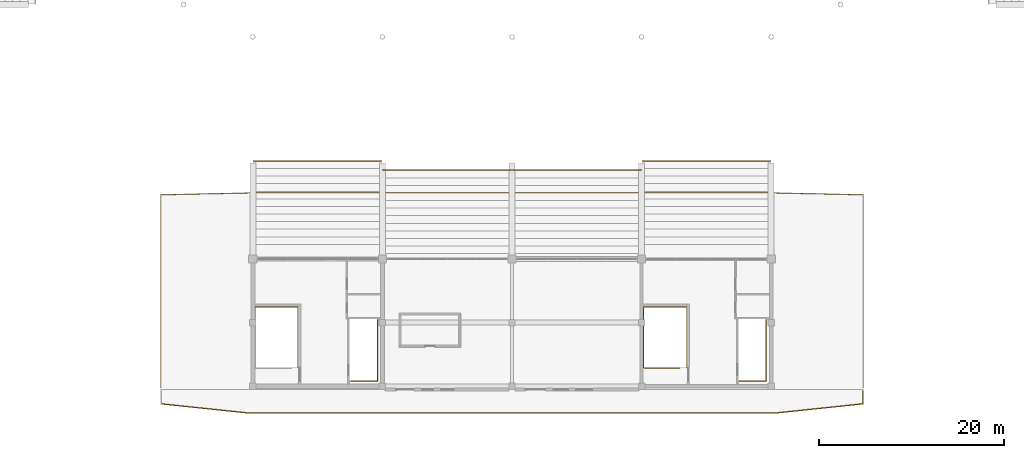
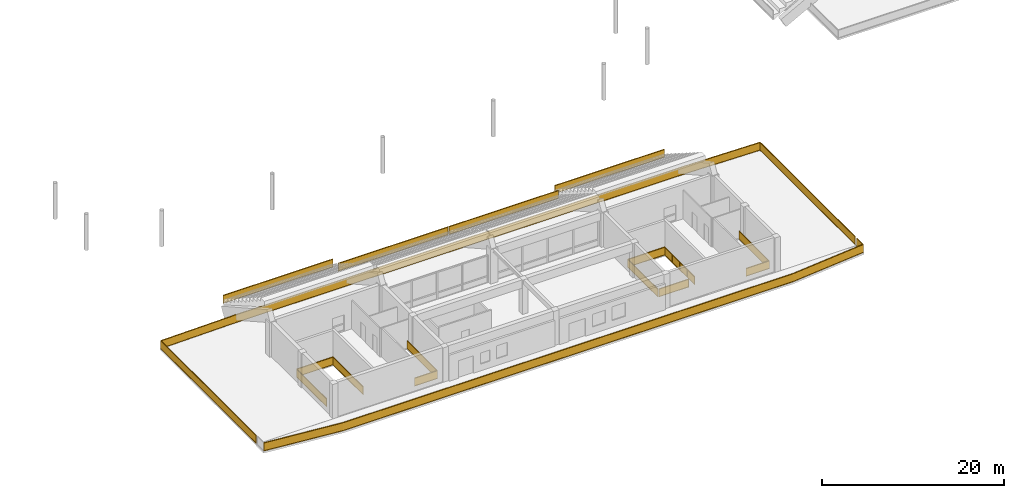
# One storey, part 82 of 94: 11 railings.
"""IFC4 building model written with IfcOpenShell, lengths in metres."""

from ifc_helpers import new_model, si_unit, direction, frame, origin, origin_2d, place, context, subcontext, project, spatial, rectangle, extrude, material, type_object, element, save


model = new_model("IFC4")

# Units and contexts
model_context = context("Model", 3, precision=1e-05, world=origin(), true_north=direction((0.0, 1.0)))
body_context = subcontext(model_context, "Body", "Model", "MODEL_VIEW")
ifc_project = project(units=[si_unit("LENGTHUNIT", "METRE"), si_unit("AREAUNIT", "SQUARE_METRE"), si_unit("VOLUMEUNIT", "CUBIC_METRE"), si_unit("PLANEANGLEUNIT", "RADIAN"), si_unit("MASSUNIT", "GRAM", prefix="KILO")], contexts=[model_context])

# Site, building, storey
site_placement = place(None, origin())
site = spatial("IfcSite", under=ifc_project, at=site_placement, CompositionType="ELEMENT")
building_placement = place(site_placement, origin())
building = spatial("IfcBuilding", under=site, at=building_placement, Name="Linyun Crest Stadium", CompositionType="ELEMENT")
storey_placement = place(building_placement, frame((0.0, 0.0, 16.199951171875)))
storey = spatial("IfcBuildingStorey", under=building, at=storey_placement, Name="L04", CompositionType="ELEMENT", Elevation=16.199951171875)

# Railings
ifc_material_1 = material(Name="Verdigris painted steel botanical balustrade", Category="steel")
railing_type_1 = type_object("IfcRailingType", Name="GR01", PredefinedType="BALUSTRADE", material=ifc_material_1)
railing_1_placement = place(storey_placement, frame((37.93994140625, -87.780029296875, 0.0)))
element("IfcRailing", 1, at=railing_1_placement, inside=storey, type_object=railing_type_1, Name="Slab edge balustrade GR01 276", PredefinedType="BALUSTRADE", context=body_context, shape_type="SweptSolid", body=[
    extrude(rectangle(XDim=0.06005859375, YDim=0.06005859375, at=origin_2d()), frame((0.0, 0.0, 1.119873046875), z_axis=(0.0, -1.0, 0.0), x_axis=(1.0, 0.0, 0.0)), (0.0, 0.0, 1.0), 1.365966796875),
    extrude(rectangle(XDim=0.030029296875, YDim=1.02978515625, at=origin_2d()), frame((0.0, 0.0, 0.574951171875), z_axis=(0.0, -1.0, 0.0), x_axis=(1.0, 0.0, 0.0)), (0.0, 0.0, 1.0), 1.365966796875),
    extrude(rectangle(XDim=0.06005859375, YDim=0.06005859375, at=origin_2d()), frame((0.0, 0.0, 0.030029296875), z_axis=(0.0, -1.0, 0.0), x_axis=(1.0, 0.0, 0.0)), (0.0, 0.0, 1.0), 1.365966796875),
    extrude(rectangle(XDim=0.06005859375, YDim=0.06005859375, at=origin_2d()), frame((0.0, -1.365966796875, 1.119873046875), z_axis=(-0.994506439109, -0.104675415316, 0.0), x_axis=(0.104675415316, -0.994506439109, 0.0)), (0.0, 0.0, 1.0), 9.4951171875),
    extrude(rectangle(XDim=0.030029296875, YDim=1.02978515625, at=origin_2d()), frame((0.0, -1.365966796875, 0.574951171875), z_axis=(-0.994506439109, -0.104675415316, 0.0), x_axis=(0.104675415316, -0.994506439109, 0.0)), (0.0, 0.0, 1.0), 9.4951171875),
    extrude(rectangle(XDim=0.06005859375, YDim=0.06005859375, at=origin_2d()), frame((0.0, -1.365966796875, 0.030029296875), z_axis=(-0.994506439109, -0.104675415316, 0.0), x_axis=(0.104675415316, -0.994506439109, 0.0)), (0.0, 0.0, 1.0), 9.4951171875),
    extrude(rectangle(XDim=0.06005859375, YDim=0.06005859375, at=origin_2d()), frame((-9.44287109375, -2.35986328125, 1.119873046875), z_axis=(-1.0, 0.0, 0.0), x_axis=(0.0, -1.0, 0.0)), (0.0, 0.0, 1.0), 56.994140625),
    extrude(rectangle(XDim=0.030029296875, YDim=1.02978515625, at=origin_2d()), frame((-9.44287109375, -2.35986328125, 0.574951171875), z_axis=(-1.0, 0.0, 0.0), x_axis=(0.0, -1.0, 0.0)), (0.0, 0.0, 1.0), 56.994140625),
    extrude(rectangle(XDim=0.06005859375, YDim=0.06005859375, at=origin_2d()), frame((-9.44287109375, -2.35986328125, 0.030029296875), z_axis=(-1.0, 0.0, 0.0), x_axis=(0.0, -1.0, 0.0)), (0.0, 0.0, 1.0), 56.994140625),
    extrude(rectangle(XDim=0.06005859375, YDim=0.06005859375, at=origin_2d()), frame((-66.43701171875, -2.35986328125, 1.119873046875), z_axis=(-0.994506439109, 0.104675415316, 0.0), x_axis=(-0.104675415316, -0.994506439109, 0.0)), (0.0, 0.0, 1.0), 9.4951171875),
    extrude(rectangle(XDim=0.030029296875, YDim=1.02978515625, at=origin_2d()), frame((-66.43701171875, -2.35986328125, 0.574951171875), z_axis=(-0.994506439109, 0.104675415316, 0.0), x_axis=(-0.104675415316, -0.994506439109, 0.0)), (0.0, 0.0, 1.0), 9.4951171875),
    extrude(rectangle(XDim=0.06005859375, YDim=0.06005859375, at=origin_2d()), frame((-66.43701171875, -2.35986328125, 0.030029296875), z_axis=(-0.994506439109, 0.104675415316, 0.0), x_axis=(-0.104675415316, -0.994506439109, 0.0)), (0.0, 0.0, 1.0), 9.4951171875),
    extrude(rectangle(XDim=0.050048828125, YDim=0.050048828125, at=origin_2d()), origin(), (0.0, 0.0, 1.0), 1.14990234375),
    extrude(rectangle(XDim=0.050048828125, YDim=0.050048828125, at=origin_2d()), frame((0.0, -1.365966796875, 0.0)), (0.0, 0.0, 1.0), 1.14990234375),
    extrude(rectangle(XDim=0.050048828125, YDim=0.050048828125, at=origin_2d()), frame((-4.721435546875, -1.86279296875, 0.0)), (0.0, 0.0, 1.0), 1.14990234375),
    extrude(rectangle(XDim=0.050048828125, YDim=0.050048828125, at=origin_2d()), frame((-9.44287109375, -2.35986328125, 0.0)), (0.0, 0.0, 1.0), 1.14990234375),
    extrude(rectangle(XDim=0.050048828125, YDim=0.050048828125, at=origin_2d()), frame((-14.1923828125, -2.35986328125, 0.0)), (0.0, 0.0, 1.0), 1.14990234375),
    extrude(rectangle(XDim=0.050048828125, YDim=0.050048828125, at=origin_2d()), frame((-18.94189453125, -2.35986328125, 0.0)), (0.0, 0.0, 1.0), 1.14990234375),
    extrude(rectangle(XDim=0.050048828125, YDim=0.050048828125, at=origin_2d()), frame((-23.69140625, -2.35986328125, 0.0)), (0.0, 0.0, 1.0), 1.14990234375),
    extrude(rectangle(XDim=0.050048828125, YDim=0.050048828125, at=origin_2d()), frame((-28.44091796875, -2.35986328125, 0.0)), (0.0, 0.0, 1.0), 1.14990234375),
    extrude(rectangle(XDim=0.050048828125, YDim=0.050048828125, at=origin_2d()), frame((-33.1904296875, -2.35986328125, 0.0)), (0.0, 0.0, 1.0), 1.14990234375),
    extrude(rectangle(XDim=0.050048828125, YDim=0.050048828125, at=origin_2d()), frame((-37.93994140625, -2.35986328125, 0.0)), (0.0, 0.0, 1.0), 1.14990234375),
    extrude(rectangle(XDim=0.050048828125, YDim=0.050048828125, at=origin_2d()), frame((-42.689453125, -2.35986328125, 0.0)), (0.0, 0.0, 1.0), 1.14990234375),
    extrude(rectangle(XDim=0.050048828125, YDim=0.050048828125, at=origin_2d()), frame((-47.43896484375, -2.35986328125, 0.0)), (0.0, 0.0, 1.0), 1.14990234375),
    extrude(rectangle(XDim=0.050048828125, YDim=0.050048828125, at=origin_2d()), frame((-52.1884765625, -2.35986328125, 0.0)), (0.0, 0.0, 1.0), 1.14990234375),
    extrude(rectangle(XDim=0.050048828125, YDim=0.050048828125, at=origin_2d()), frame((-56.93798828125, -2.35986328125, 0.0)), (0.0, 0.0, 1.0), 1.14990234375),
    extrude(rectangle(XDim=0.050048828125, YDim=0.050048828125, at=origin_2d()), frame((-61.6875, -2.35986328125, 0.0)), (0.0, 0.0, 1.0), 1.14990234375),
    extrude(rectangle(XDim=0.050048828125, YDim=0.050048828125, at=origin_2d()), frame((-66.43701171875, -2.35986328125, 0.0)), (0.0, 0.0, 1.0), 1.14990234375),
    extrude(rectangle(XDim=0.050048828125, YDim=0.050048828125, at=origin_2d()), frame((-71.158447265625, -1.86279296875, 0.0)), (0.0, 0.0, 1.0), 1.14990234375),
    extrude(rectangle(XDim=0.050048828125, YDim=0.050048828125, at=origin_2d()), frame((-75.8798828125, -1.365966796875, 0.0)), (0.0, 0.0, 1.0), 1.14990234375),
])
ifc_material_2 = material(Name="Galvanized and powder-coated steel bowl safety barrier", Category="steel")
railing_type_2 = type_object("IfcRailingType", Name="GR02", PredefinedType="GUARDRAIL", material=ifc_material_2)
for number, where, name in (
    (2, (-27.919921875, -62.89990234375, 0.35009765625), "Bowl front safety guard GR02 63"),
    (3, (-13.919921875, -63.89990234375, 0.35009765625), "Bowl front safety guard GR02 70"),
    (4, (0.080078125, -63.89990234375, 0.35009765625), "Bowl front safety guard GR02 77"),
    (5, (14.080078125, -62.89990234375, 0.35009765625), "Bowl front safety guard GR02 84"),
):
    element("IfcRailing", number, at=place(storey_placement, frame(where)), inside=storey, type_object=railing_type_2, Name=name, PredefinedType="GUARDRAIL", context=body_context, shape_type="SweptSolid", body=[
        extrude(rectangle(XDim=0.06005859375, YDim=0.06005859375, at=origin_2d()), frame((0.0, 0.0, 1.090087890625), z_axis=(1.0, 0.0, 0.0), x_axis=(0.0, 1.0, 0.0)), (0.0, 0.0, 1.0), 13.83984375),
        extrude(rectangle(XDim=0.030029296875, YDim=1.0, at=origin_2d()), frame((0.0, 0.0, 0.56005859375), z_axis=(1.0, 0.0, 0.0), x_axis=(0.0, 1.0, 0.0)), (0.0, 0.0, 1.0), 13.83984375),
        extrude(rectangle(XDim=0.06005859375, YDim=0.06005859375, at=origin_2d()), frame((0.0, 0.0, 0.030029296875), z_axis=(1.0, 0.0, 0.0), x_axis=(0.0, 1.0, 0.0)), (0.0, 0.0, 1.0), 13.83984375),
        extrude(rectangle(XDim=0.050048828125, YDim=0.050048828125, at=origin_2d()), origin(), (0.0, 0.0, 1.0), 1.1201171875),
        extrude(rectangle(XDim=0.050048828125, YDim=0.050048828125, at=origin_2d()), frame((2.306640625, 0.0, 0.0)), (0.0, 0.0, 1.0), 1.1201171875),
        extrude(rectangle(XDim=0.050048828125, YDim=0.050048828125, at=origin_2d()), frame((4.61328125, 0.0, 0.0)), (0.0, 0.0, 1.0), 1.1201171875),
        extrude(rectangle(XDim=0.050048828125, YDim=0.050048828125, at=origin_2d()), frame((6.919921875, 0.0, 0.0)), (0.0, 0.0, 1.0), 1.1201171875),
        extrude(rectangle(XDim=0.050048828125, YDim=0.050048828125, at=origin_2d()), frame((9.2265625, 0.0, 0.0)), (0.0, 0.0, 1.0), 1.1201171875),
        extrude(rectangle(XDim=0.050048828125, YDim=0.050048828125, at=origin_2d()), frame((11.533203125, 0.0, 0.0)), (0.0, 0.0, 1.0), 1.1201171875),
        extrude(rectangle(XDim=0.050048828125, YDim=0.050048828125, at=origin_2d()), frame((13.83984375, 0.0, 0.0)), (0.0, 0.0, 1.0), 1.1201171875),
    ])
railing_2_placement = place(storey_placement, frame((-37.93994140625, -87.425048828125, 0.0)))
element("IfcRailing", 6, at=railing_2_placement, inside=storey, type_object=railing_type_2, Name="Slab edge balustrade GR02 268", PredefinedType="GUARDRAIL", context=body_context, shape_type="SweptSolid", body=[
    extrude(rectangle(XDim=0.06005859375, YDim=0.06005859375, at=origin_2d()), frame((0.0, 0.0, 1.090087890625), z_axis=(0.0, 1.0, 0.0), x_axis=(-1.0, 0.0, 0.0)), (0.0, 0.0, 1.0), 20.865966796875),
    extrude(rectangle(XDim=0.030029296875, YDim=1.0, at=origin_2d()), frame((0.0, 0.0, 0.56005859375), z_axis=(0.0, 1.0, 0.0), x_axis=(-1.0, 0.0, 0.0)), (0.0, 0.0, 1.0), 20.865966796875),
    extrude(rectangle(XDim=0.06005859375, YDim=0.06005859375, at=origin_2d()), frame((0.0, 0.0, 0.030029296875), z_axis=(0.0, 1.0, 0.0), x_axis=(-1.0, 0.0, 0.0)), (0.0, 0.0, 1.0), 20.865966796875),
    extrude(rectangle(XDim=0.06005859375, YDim=0.06005859375, at=origin_2d()), frame((0.0, 20.865966796875, 1.090087890625), z_axis=(0.999777979935, 0.021071090087, 0.0), x_axis=(-0.021071090087, 0.999777979935, 0.0)), (0.0, 0.0, 1.0), 9.443115234375),
    extrude(rectangle(XDim=0.030029296875, YDim=1.0, at=origin_2d()), frame((0.0, 20.865966796875, 0.56005859375), z_axis=(0.999777979935, 0.021071090087, 0.0), x_axis=(-0.021071090087, 0.999777979935, 0.0)), (0.0, 0.0, 1.0), 9.443115234375),
    extrude(rectangle(XDim=0.06005859375, YDim=0.06005859375, at=origin_2d()), frame((0.0, 20.865966796875, 0.030029296875), z_axis=(0.999777979935, 0.021071090087, 0.0), x_axis=(-0.021071090087, 0.999777979935, 0.0)), (0.0, 0.0, 1.0), 9.443115234375),
    extrude(rectangle(XDim=0.06005859375, YDim=0.06005859375, at=origin_2d()), frame((9.44091796875, 21.06494140625, 1.090087890625), z_axis=(1.0, 0.0, 0.0), x_axis=(0.0, 1.0, 0.0)), (0.0, 0.0, 1.0), 56.998046875),
    extrude(rectangle(XDim=0.030029296875, YDim=1.0, at=origin_2d()), frame((9.44091796875, 21.06494140625, 0.56005859375), z_axis=(1.0, 0.0, 0.0), x_axis=(0.0, 1.0, 0.0)), (0.0, 0.0, 1.0), 56.998046875),
    extrude(rectangle(XDim=0.06005859375, YDim=0.06005859375, at=origin_2d()), frame((9.44091796875, 21.06494140625, 0.030029296875), z_axis=(1.0, 0.0, 0.0), x_axis=(0.0, 1.0, 0.0)), (0.0, 0.0, 1.0), 56.998046875),
    extrude(rectangle(XDim=0.06005859375, YDim=0.06005859375, at=origin_2d()), frame((66.43896484375, 21.06494140625, 1.090087890625), z_axis=(0.999777979935, -0.021071090087, 0.0), x_axis=(0.021071090087, 0.999777979935, 0.0)), (0.0, 0.0, 1.0), 9.443115234375),
    extrude(rectangle(XDim=0.030029296875, YDim=1.0, at=origin_2d()), frame((66.43896484375, 21.06494140625, 0.56005859375), z_axis=(0.999777979935, -0.021071090087, 0.0), x_axis=(0.021071090087, 0.999777979935, 0.0)), (0.0, 0.0, 1.0), 9.443115234375),
    extrude(rectangle(XDim=0.06005859375, YDim=0.06005859375, at=origin_2d()), frame((66.43896484375, 21.06494140625, 0.030029296875), z_axis=(0.999777979935, -0.021071090087, 0.0), x_axis=(0.021071090087, 0.999777979935, 0.0)), (0.0, 0.0, 1.0), 9.443115234375),
    extrude(rectangle(XDim=0.06005859375, YDim=0.06005859375, at=origin_2d()), frame((75.8798828125, 20.865966796875, 1.090087890625), z_axis=(0.0, -1.0, 0.0), x_axis=(1.0, 0.0, 0.0)), (0.0, 0.0, 1.0), 20.865966796875),
    extrude(rectangle(XDim=0.030029296875, YDim=1.0, at=origin_2d()), frame((75.8798828125, 20.865966796875, 0.56005859375), z_axis=(0.0, -1.0, 0.0), x_axis=(1.0, 0.0, 0.0)), (0.0, 0.0, 1.0), 20.865966796875),
    extrude(rectangle(XDim=0.06005859375, YDim=0.06005859375, at=origin_2d()), frame((75.8798828125, 20.865966796875, 0.030029296875), z_axis=(0.0, -1.0, 0.0), x_axis=(1.0, 0.0, 0.0)), (0.0, 0.0, 1.0), 20.865966796875),
    extrude(rectangle(XDim=0.050048828125, YDim=0.050048828125, at=origin_2d()), origin(), (0.0, 0.0, 1.0), 1.1201171875),
    extrude(rectangle(XDim=0.050048828125, YDim=0.050048828125, at=origin_2d()), frame((0.0, 4.173095703125, 0.0)), (0.0, 0.0, 1.0), 1.1201171875),
    extrude(rectangle(XDim=0.050048828125, YDim=0.050048828125, at=origin_2d()), frame((0.0, 8.346435546875, 0.0)), (0.0, 0.0, 1.0), 1.1201171875),
    extrude(rectangle(XDim=0.050048828125, YDim=0.050048828125, at=origin_2d()), frame((0.0, 12.51953125, 0.0)), (0.0, 0.0, 1.0), 1.1201171875),
    extrude(rectangle(XDim=0.050048828125, YDim=0.050048828125, at=origin_2d()), frame((0.0, 16.69287109375, 0.0)), (0.0, 0.0, 1.0), 1.1201171875),
    extrude(rectangle(XDim=0.050048828125, YDim=0.050048828125, at=origin_2d()), frame((0.0, 20.865966796875, 0.0)), (0.0, 0.0, 1.0), 1.1201171875),
    extrude(rectangle(XDim=0.050048828125, YDim=0.050048828125, at=origin_2d()), frame((4.720458984375, 20.96533203125, 0.0)), (0.0, 0.0, 1.0), 1.1201171875),
    extrude(rectangle(XDim=0.050048828125, YDim=0.050048828125, at=origin_2d()), frame((9.44091796875, 21.06494140625, 0.0)), (0.0, 0.0, 1.0), 1.1201171875),
    extrude(rectangle(XDim=0.050048828125, YDim=0.050048828125, at=origin_2d()), frame((14.190673828125, 21.06494140625, 0.0)), (0.0, 0.0, 1.0), 1.1201171875),
    extrude(rectangle(XDim=0.050048828125, YDim=0.050048828125, at=origin_2d()), frame((18.940673828125, 21.06494140625, 0.0)), (0.0, 0.0, 1.0), 1.1201171875),
    extrude(rectangle(XDim=0.050048828125, YDim=0.050048828125, at=origin_2d()), frame((23.6904296875, 21.06494140625, 0.0)), (0.0, 0.0, 1.0), 1.1201171875),
    extrude(rectangle(XDim=0.050048828125, YDim=0.050048828125, at=origin_2d()), frame((28.440185546875, 21.06494140625, 0.0)), (0.0, 0.0, 1.0), 1.1201171875),
    extrude(rectangle(XDim=0.050048828125, YDim=0.050048828125, at=origin_2d()), frame((33.190185546875, 21.06494140625, 0.0)), (0.0, 0.0, 1.0), 1.1201171875),
    extrude(rectangle(XDim=0.050048828125, YDim=0.050048828125, at=origin_2d()), frame((37.93994140625, 21.06494140625, 0.0)), (0.0, 0.0, 1.0), 1.1201171875),
    extrude(rectangle(XDim=0.050048828125, YDim=0.050048828125, at=origin_2d()), frame((42.689697265625, 21.06494140625, 0.0)), (0.0, 0.0, 1.0), 1.1201171875),
    extrude(rectangle(XDim=0.050048828125, YDim=0.050048828125, at=origin_2d()), frame((47.439697265625, 21.06494140625, 0.0)), (0.0, 0.0, 1.0), 1.1201171875),
    extrude(rectangle(XDim=0.050048828125, YDim=0.050048828125, at=origin_2d()), frame((52.189453125, 21.06494140625, 0.0)), (0.0, 0.0, 1.0), 1.1201171875),
    extrude(rectangle(XDim=0.050048828125, YDim=0.050048828125, at=origin_2d()), frame((56.939208984375, 21.06494140625, 0.0)), (0.0, 0.0, 1.0), 1.1201171875),
    extrude(rectangle(XDim=0.050048828125, YDim=0.050048828125, at=origin_2d()), frame((61.689208984375, 21.06494140625, 0.0)), (0.0, 0.0, 1.0), 1.1201171875),
    extrude(rectangle(XDim=0.050048828125, YDim=0.050048828125, at=origin_2d()), frame((66.43896484375, 21.06494140625, 0.0)), (0.0, 0.0, 1.0), 1.1201171875),
    extrude(rectangle(XDim=0.050048828125, YDim=0.050048828125, at=origin_2d()), frame((71.159423828125, 20.96533203125, 0.0)), (0.0, 0.0, 1.0), 1.1201171875),
    extrude(rectangle(XDim=0.050048828125, YDim=0.050048828125, at=origin_2d()), frame((75.8798828125, 20.865966796875, 0.0)), (0.0, 0.0, 1.0), 1.1201171875),
    extrude(rectangle(XDim=0.050048828125, YDim=0.050048828125, at=origin_2d()), frame((75.8798828125, 16.69287109375, 0.0)), (0.0, 0.0, 1.0), 1.1201171875),
    extrude(rectangle(XDim=0.050048828125, YDim=0.050048828125, at=origin_2d()), frame((75.8798828125, 12.51953125, 0.0)), (0.0, 0.0, 1.0), 1.1201171875),
    extrude(rectangle(XDim=0.050048828125, YDim=0.050048828125, at=origin_2d()), frame((75.8798828125, 8.346435546875, 0.0)), (0.0, 0.0, 1.0), 1.1201171875),
    extrude(rectangle(XDim=0.050048828125, YDim=0.050048828125, at=origin_2d()), frame((75.8798828125, 4.173095703125, 0.0)), (0.0, 0.0, 1.0), 1.1201171875),
    extrude(rectangle(XDim=0.050048828125, YDim=0.050048828125, at=origin_2d()), frame((75.8798828125, 0.0, 0.0)), (0.0, 0.0, 1.0), 1.1201171875),
])
railing_3_placement = place(storey_placement, frame((24.580078125, -86.659912109375, 0.0)))
element("IfcRailing", 7, at=railing_3_placement, inside=storey, type_object=railing_type_2, Name="Slab edge balustrade GR02 269", PredefinedType="GUARDRAIL", context=body_context, shape_type="SweptSolid", body=[
    extrude(rectangle(XDim=0.06005859375, YDim=0.06005859375, at=origin_2d()), frame((0.0, 0.0, 1.090087890625), z_axis=(1.0, 0.0, 0.0), x_axis=(0.0, 1.0, 0.0)), (0.0, 0.0, 1.0), 2.8798828125),
    extrude(rectangle(XDim=0.030029296875, YDim=1.0, at=origin_2d()), frame((0.0, 0.0, 0.56005859375), z_axis=(1.0, 0.0, 0.0), x_axis=(0.0, 1.0, 0.0)), (0.0, 0.0, 1.0), 2.8798828125),
    extrude(rectangle(XDim=0.06005859375, YDim=0.06005859375, at=origin_2d()), frame((0.0, 0.0, 0.030029296875), z_axis=(1.0, 0.0, 0.0), x_axis=(0.0, 1.0, 0.0)), (0.0, 0.0, 1.0), 2.8798828125),
    extrude(rectangle(XDim=0.06005859375, YDim=0.06005859375, at=origin_2d()), frame((2.8798828125, 0.0, 1.090087890625), z_axis=(0.0, 1.0, 0.0), x_axis=(-1.0, 0.0, 0.0)), (0.0, 0.0, 1.0), 6.5498046875),
    extrude(rectangle(XDim=0.030029296875, YDim=1.0, at=origin_2d()), frame((2.8798828125, 0.0, 0.56005859375), z_axis=(0.0, 1.0, 0.0), x_axis=(-1.0, 0.0, 0.0)), (0.0, 0.0, 1.0), 6.5498046875),
    extrude(rectangle(XDim=0.06005859375, YDim=0.06005859375, at=origin_2d()), frame((2.8798828125, 0.0, 0.030029296875), z_axis=(0.0, 1.0, 0.0), x_axis=(-1.0, 0.0, 0.0)), (0.0, 0.0, 1.0), 6.5498046875),
    extrude(rectangle(XDim=0.050048828125, YDim=0.050048828125, at=origin_2d()), origin(), (0.0, 0.0, 1.0), 1.1201171875),
    extrude(rectangle(XDim=0.050048828125, YDim=0.050048828125, at=origin_2d()), frame((2.8798828125, 0.0, 0.0)), (0.0, 0.0, 1.0), 1.1201171875),
    extrude(rectangle(XDim=0.050048828125, YDim=0.050048828125, at=origin_2d()), frame((2.8798828125, 3.27490234375, 0.0)), (0.0, 0.0, 1.0), 1.1201171875),
    extrude(rectangle(XDim=0.050048828125, YDim=0.050048828125, at=origin_2d()), frame((2.8798828125, 6.5498046875, 0.0)), (0.0, 0.0, 1.0), 1.1201171875),
])
railing_4_placement = place(storey_placement, frame((14.31494140625, -85.2900390625, 0.0)))
element("IfcRailing", 8, at=railing_4_placement, inside=storey, type_object=railing_type_2, Name="Slab edge balustrade GR02 270", PredefinedType="GUARDRAIL", context=body_context, shape_type="SweptSolid", body=[
    extrude(rectangle(XDim=0.06005859375, YDim=0.06005859375, at=origin_2d()), frame((0.0, 0.0, 1.090087890625), z_axis=(1.0, 0.0, 0.0), x_axis=(0.0, 1.0, 0.0)), (0.0, 0.0, 1.0), 3.78515625),
    extrude(rectangle(XDim=0.030029296875, YDim=1.0, at=origin_2d()), frame((0.0, 0.0, 0.56005859375), z_axis=(1.0, 0.0, 0.0), x_axis=(0.0, 1.0, 0.0)), (0.0, 0.0, 1.0), 3.78515625),
    extrude(rectangle(XDim=0.06005859375, YDim=0.06005859375, at=origin_2d()), frame((0.0, 0.0, 0.030029296875), z_axis=(1.0, 0.0, 0.0), x_axis=(0.0, 1.0, 0.0)), (0.0, 0.0, 1.0), 3.78515625),
    extrude(rectangle(XDim=0.050048828125, YDim=0.050048828125, at=origin_2d()), origin(), (0.0, 0.0, 1.0), 1.1201171875),
    extrude(rectangle(XDim=0.050048828125, YDim=0.050048828125, at=origin_2d()), frame((3.78515625, 0.0, 0.0)), (0.0, 0.0, 1.0), 1.1201171875),
])
railing_5_placement = place(storey_placement, frame((-17.419921875, -86.659912109375, 0.0)))
element("IfcRailing", 9, at=railing_5_placement, inside=storey, type_object=railing_type_2, Name="Slab edge balustrade GR02 271", PredefinedType="GUARDRAIL", context=body_context, shape_type="SweptSolid", body=[
    extrude(rectangle(XDim=0.06005859375, YDim=0.06005859375, at=origin_2d()), frame((0.0, 0.0, 1.090087890625), z_axis=(1.0, 0.0, 0.0), x_axis=(0.0, 1.0, 0.0)), (0.0, 0.0, 1.0), 2.8798828125),
    extrude(rectangle(XDim=0.030029296875, YDim=1.0, at=origin_2d()), frame((0.0, 0.0, 0.56005859375), z_axis=(1.0, 0.0, 0.0), x_axis=(0.0, 1.0, 0.0)), (0.0, 0.0, 1.0), 2.8798828125),
    extrude(rectangle(XDim=0.06005859375, YDim=0.06005859375, at=origin_2d()), frame((0.0, 0.0, 0.030029296875), z_axis=(1.0, 0.0, 0.0), x_axis=(0.0, 1.0, 0.0)), (0.0, 0.0, 1.0), 2.8798828125),
    extrude(rectangle(XDim=0.06005859375, YDim=0.06005859375, at=origin_2d()), frame((2.8798828125, 0.0, 1.090087890625), z_axis=(0.0, 1.0, 0.0), x_axis=(-1.0, 0.0, 0.0)), (0.0, 0.0, 1.0), 6.5498046875),
    extrude(rectangle(XDim=0.030029296875, YDim=1.0, at=origin_2d()), frame((2.8798828125, 0.0, 0.56005859375), z_axis=(0.0, 1.0, 0.0), x_axis=(-1.0, 0.0, 0.0)), (0.0, 0.0, 1.0), 6.5498046875),
    extrude(rectangle(XDim=0.06005859375, YDim=0.06005859375, at=origin_2d()), frame((2.8798828125, 0.0, 0.030029296875), z_axis=(0.0, 1.0, 0.0), x_axis=(-1.0, 0.0, 0.0)), (0.0, 0.0, 1.0), 6.5498046875),
    extrude(rectangle(XDim=0.050048828125, YDim=0.050048828125, at=origin_2d()), origin(), (0.0, 0.0, 1.0), 1.1201171875),
    extrude(rectangle(XDim=0.050048828125, YDim=0.050048828125, at=origin_2d()), frame((2.8798828125, 0.0, 0.0)), (0.0, 0.0, 1.0), 1.1201171875),
    extrude(rectangle(XDim=0.050048828125, YDim=0.050048828125, at=origin_2d()), frame((2.8798828125, 3.27490234375, 0.0)), (0.0, 0.0, 1.0), 1.1201171875),
    extrude(rectangle(XDim=0.050048828125, YDim=0.050048828125, at=origin_2d()), frame((2.8798828125, 6.5498046875, 0.0)), (0.0, 0.0, 1.0), 1.1201171875),
])
ifc_material_3 = material(Name="Painted steel stairwell safety guard", Category="steel")
railing_type_3 = type_object("IfcRailingType", Name="GR03", PredefinedType="GUARDRAIL", material=ifc_material_3)
railing_6_placement = place(storey_placement, frame((-27.7451171875, -85.25, 0.0)))
element("IfcRailing", 10, at=railing_6_placement, inside=storey, type_object=railing_type_3, Name="STR-09-L03 top well guard", PredefinedType="GUARDRAIL", context=body_context, shape_type="SweptSolid", body=[
    extrude(rectangle(XDim=0.06005859375, YDim=0.06005859375, at=origin_2d()), frame((0.0, 0.0, 1.090087890625), z_axis=(0.0, 1.0, 0.0), x_axis=(-1.0, 0.0, 0.0)), (0.0, 0.0, 1.0), 6.570068359375),
    extrude(rectangle(XDim=0.030029296875, YDim=1.0, at=origin_2d()), frame((0.0, 0.0, 0.56005859375), z_axis=(0.0, 1.0, 0.0), x_axis=(-1.0, 0.0, 0.0)), (0.0, 0.0, 1.0), 6.570068359375),
    extrude(rectangle(XDim=0.06005859375, YDim=0.06005859375, at=origin_2d()), frame((0.0, 0.0, 0.030029296875), z_axis=(0.0, 1.0, 0.0), x_axis=(-1.0, 0.0, 0.0)), (0.0, 0.0, 1.0), 6.570068359375),
    extrude(rectangle(XDim=0.06005859375, YDim=0.06005859375, at=origin_2d()), frame((0.0, 6.570068359375, 1.090087890625), z_axis=(1.0, 0.0, 0.0), x_axis=(0.0, 1.0, 0.0)), (0.0, 0.0, 1.0), 4.615234375),
    extrude(rectangle(XDim=0.030029296875, YDim=1.0, at=origin_2d()), frame((0.0, 6.570068359375, 0.56005859375), z_axis=(1.0, 0.0, 0.0), x_axis=(0.0, 1.0, 0.0)), (0.0, 0.0, 1.0), 4.615234375),
    extrude(rectangle(XDim=0.06005859375, YDim=0.06005859375, at=origin_2d()), frame((0.0, 6.570068359375, 0.030029296875), z_axis=(1.0, 0.0, 0.0), x_axis=(0.0, 1.0, 0.0)), (0.0, 0.0, 1.0), 4.615234375),
    extrude(rectangle(XDim=0.06005859375, YDim=0.06005859375, at=origin_2d()), frame((4.615234375, 6.570068359375, 1.090087890625), z_axis=(0.0, -1.0, 0.0), x_axis=(1.0, 0.0, 0.0)), (0.0, 0.0, 1.0), 6.570068359375),
    extrude(rectangle(XDim=0.030029296875, YDim=1.0, at=origin_2d()), frame((4.615234375, 6.570068359375, 0.56005859375), z_axis=(0.0, -1.0, 0.0), x_axis=(1.0, 0.0, 0.0)), (0.0, 0.0, 1.0), 6.570068359375),
    extrude(rectangle(XDim=0.06005859375, YDim=0.06005859375, at=origin_2d()), frame((4.615234375, 6.570068359375, 0.030029296875), z_axis=(0.0, -1.0, 0.0), x_axis=(1.0, 0.0, 0.0)), (0.0, 0.0, 1.0), 6.570068359375),
    extrude(rectangle(XDim=0.050048828125, YDim=0.050048828125, at=origin_2d()), origin(), (0.0, 0.0, 1.0), 1.1201171875),
    extrude(rectangle(XDim=0.050048828125, YDim=0.050048828125, at=origin_2d()), frame((0.0, 1.642578125, 0.0)), (0.0, 0.0, 1.0), 1.1201171875),
    extrude(rectangle(XDim=0.050048828125, YDim=0.050048828125, at=origin_2d()), frame((0.0, 3.28515625, 0.0)), (0.0, 0.0, 1.0), 1.1201171875),
    extrude(rectangle(XDim=0.050048828125, YDim=0.050048828125, at=origin_2d()), frame((0.0, 4.927490234375, 0.0)), (0.0, 0.0, 1.0), 1.1201171875),
    extrude(rectangle(XDim=0.050048828125, YDim=0.050048828125, at=origin_2d()), frame((0.0, 6.570068359375, 0.0)), (0.0, 0.0, 1.0), 1.1201171875),
    extrude(rectangle(XDim=0.050048828125, YDim=0.050048828125, at=origin_2d()), frame((1.538330078125, 6.570068359375, 0.0)), (0.0, 0.0, 1.0), 1.1201171875),
    extrude(rectangle(XDim=0.050048828125, YDim=0.050048828125, at=origin_2d()), frame((3.076904296875, 6.570068359375, 0.0)), (0.0, 0.0, 1.0), 1.1201171875),
    extrude(rectangle(XDim=0.050048828125, YDim=0.050048828125, at=origin_2d()), frame((4.615234375, 6.570068359375, 0.0)), (0.0, 0.0, 1.0), 1.1201171875),
    extrude(rectangle(XDim=0.050048828125, YDim=0.050048828125, at=origin_2d()), frame((4.615234375, 4.927490234375, 0.0)), (0.0, 0.0, 1.0), 1.1201171875),
    extrude(rectangle(XDim=0.050048828125, YDim=0.050048828125, at=origin_2d()), frame((4.615234375, 3.28515625, 0.0)), (0.0, 0.0, 1.0), 1.1201171875),
    extrude(rectangle(XDim=0.050048828125, YDim=0.050048828125, at=origin_2d()), frame((4.615234375, 1.642578125, 0.0)), (0.0, 0.0, 1.0), 1.1201171875),
    extrude(rectangle(XDim=0.050048828125, YDim=0.050048828125, at=origin_2d()), frame((4.615234375, 0.0, 0.0)), (0.0, 0.0, 1.0), 1.1201171875),
])
railing_7_placement = place(storey_placement, frame((14.205078125, -85.25, 0.0)))
element("IfcRailing", 11, at=railing_7_placement, inside=storey, type_object=railing_type_3, Name="STR-10-L03 top well guard", PredefinedType="GUARDRAIL", context=body_context, shape_type="SweptSolid", body=[
    extrude(rectangle(XDim=0.06005859375, YDim=0.06005859375, at=origin_2d()), frame((0.0, 0.0, 1.090087890625), z_axis=(0.0, 1.0, 0.0), x_axis=(-1.0, 0.0, 0.0)), (0.0, 0.0, 1.0), 6.570068359375),
    extrude(rectangle(XDim=0.030029296875, YDim=1.0, at=origin_2d()), frame((0.0, 0.0, 0.56005859375), z_axis=(0.0, 1.0, 0.0), x_axis=(-1.0, 0.0, 0.0)), (0.0, 0.0, 1.0), 6.570068359375),
    extrude(rectangle(XDim=0.06005859375, YDim=0.06005859375, at=origin_2d()), frame((0.0, 0.0, 0.030029296875), z_axis=(0.0, 1.0, 0.0), x_axis=(-1.0, 0.0, 0.0)), (0.0, 0.0, 1.0), 6.570068359375),
    extrude(rectangle(XDim=0.06005859375, YDim=0.06005859375, at=origin_2d()), frame((0.0, 6.570068359375, 1.090087890625), z_axis=(1.0, 0.0, 0.0), x_axis=(0.0, 1.0, 0.0)), (0.0, 0.0, 1.0), 4.6650390625),
    extrude(rectangle(XDim=0.030029296875, YDim=1.0, at=origin_2d()), frame((0.0, 6.570068359375, 0.56005859375), z_axis=(1.0, 0.0, 0.0), x_axis=(0.0, 1.0, 0.0)), (0.0, 0.0, 1.0), 4.6650390625),
    extrude(rectangle(XDim=0.06005859375, YDim=0.06005859375, at=origin_2d()), frame((0.0, 6.570068359375, 0.030029296875), z_axis=(1.0, 0.0, 0.0), x_axis=(0.0, 1.0, 0.0)), (0.0, 0.0, 1.0), 4.6650390625),
    extrude(rectangle(XDim=0.06005859375, YDim=0.06005859375, at=origin_2d()), frame((4.6650390625, 6.570068359375, 1.090087890625), z_axis=(0.0, -1.0, 0.0), x_axis=(1.0, 0.0, 0.0)), (0.0, 0.0, 1.0), 6.570068359375),
    extrude(rectangle(XDim=0.030029296875, YDim=1.0, at=origin_2d()), frame((4.6650390625, 6.570068359375, 0.56005859375), z_axis=(0.0, -1.0, 0.0), x_axis=(1.0, 0.0, 0.0)), (0.0, 0.0, 1.0), 6.570068359375),
    extrude(rectangle(XDim=0.06005859375, YDim=0.06005859375, at=origin_2d()), frame((4.6650390625, 6.570068359375, 0.030029296875), z_axis=(0.0, -1.0, 0.0), x_axis=(1.0, 0.0, 0.0)), (0.0, 0.0, 1.0), 6.570068359375),
    extrude(rectangle(XDim=0.050048828125, YDim=0.050048828125, at=origin_2d()), origin(), (0.0, 0.0, 1.0), 1.1201171875),
    extrude(rectangle(XDim=0.050048828125, YDim=0.050048828125, at=origin_2d()), frame((0.0, 1.642578125, 0.0)), (0.0, 0.0, 1.0), 1.1201171875),
    extrude(rectangle(XDim=0.050048828125, YDim=0.050048828125, at=origin_2d()), frame((0.0, 3.28515625, 0.0)), (0.0, 0.0, 1.0), 1.1201171875),
    extrude(rectangle(XDim=0.050048828125, YDim=0.050048828125, at=origin_2d()), frame((0.0, 4.927490234375, 0.0)), (0.0, 0.0, 1.0), 1.1201171875),
    extrude(rectangle(XDim=0.050048828125, YDim=0.050048828125, at=origin_2d()), frame((0.0, 6.570068359375, 0.0)), (0.0, 0.0, 1.0), 1.1201171875),
    extrude(rectangle(XDim=0.050048828125, YDim=0.050048828125, at=origin_2d()), frame((1.554931640625, 6.570068359375, 0.0)), (0.0, 0.0, 1.0), 1.1201171875),
    extrude(rectangle(XDim=0.050048828125, YDim=0.050048828125, at=origin_2d()), frame((3.110107421875, 6.570068359375, 0.0)), (0.0, 0.0, 1.0), 1.1201171875),
    extrude(rectangle(XDim=0.050048828125, YDim=0.050048828125, at=origin_2d()), frame((4.6650390625, 6.570068359375, 0.0)), (0.0, 0.0, 1.0), 1.1201171875),
    extrude(rectangle(XDim=0.050048828125, YDim=0.050048828125, at=origin_2d()), frame((4.6650390625, 4.927490234375, 0.0)), (0.0, 0.0, 1.0), 1.1201171875),
    extrude(rectangle(XDim=0.050048828125, YDim=0.050048828125, at=origin_2d()), frame((4.6650390625, 3.28515625, 0.0)), (0.0, 0.0, 1.0), 1.1201171875),
    extrude(rectangle(XDim=0.050048828125, YDim=0.050048828125, at=origin_2d()), frame((4.6650390625, 1.642578125, 0.0)), (0.0, 0.0, 1.0), 1.1201171875),
    extrude(rectangle(XDim=0.050048828125, YDim=0.050048828125, at=origin_2d()), frame((4.6650390625, 0.0, 0.0)), (0.0, 0.0, 1.0), 1.1201171875),
])

save(model, "model.ifc")
